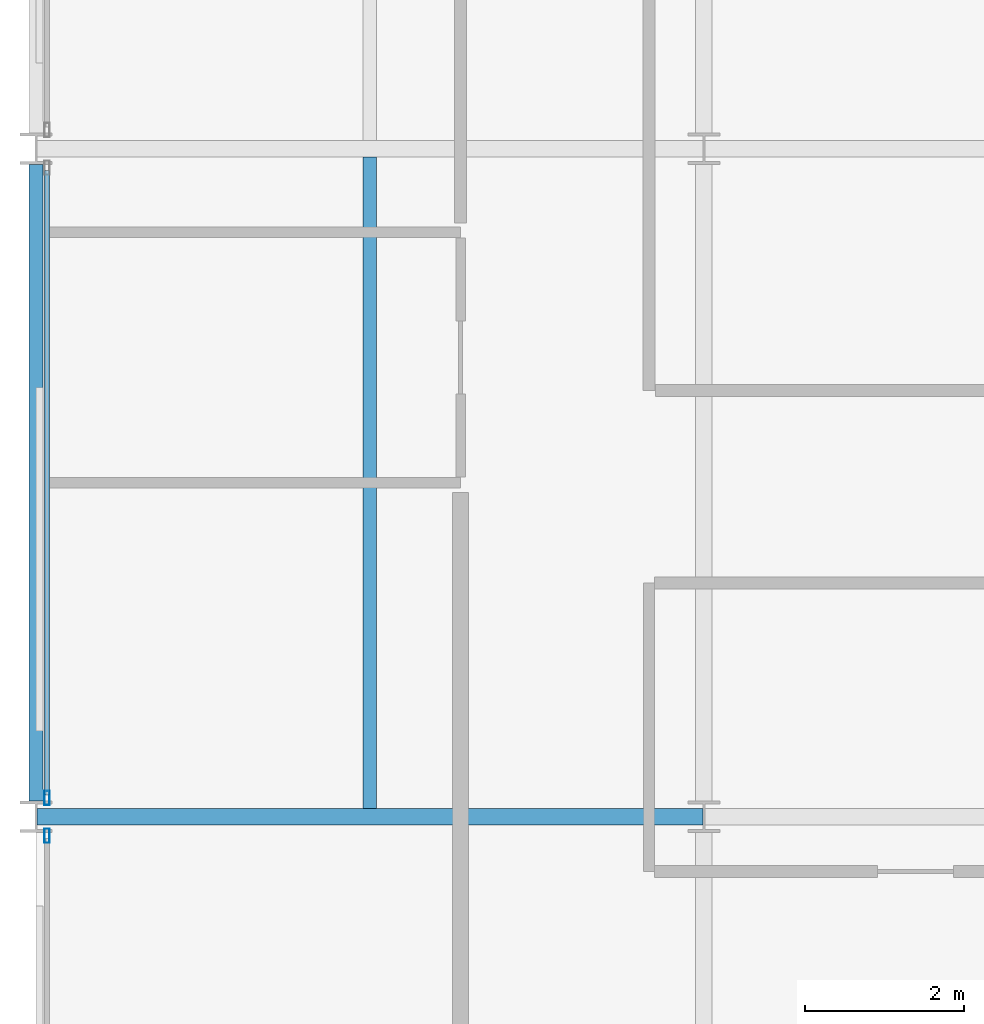
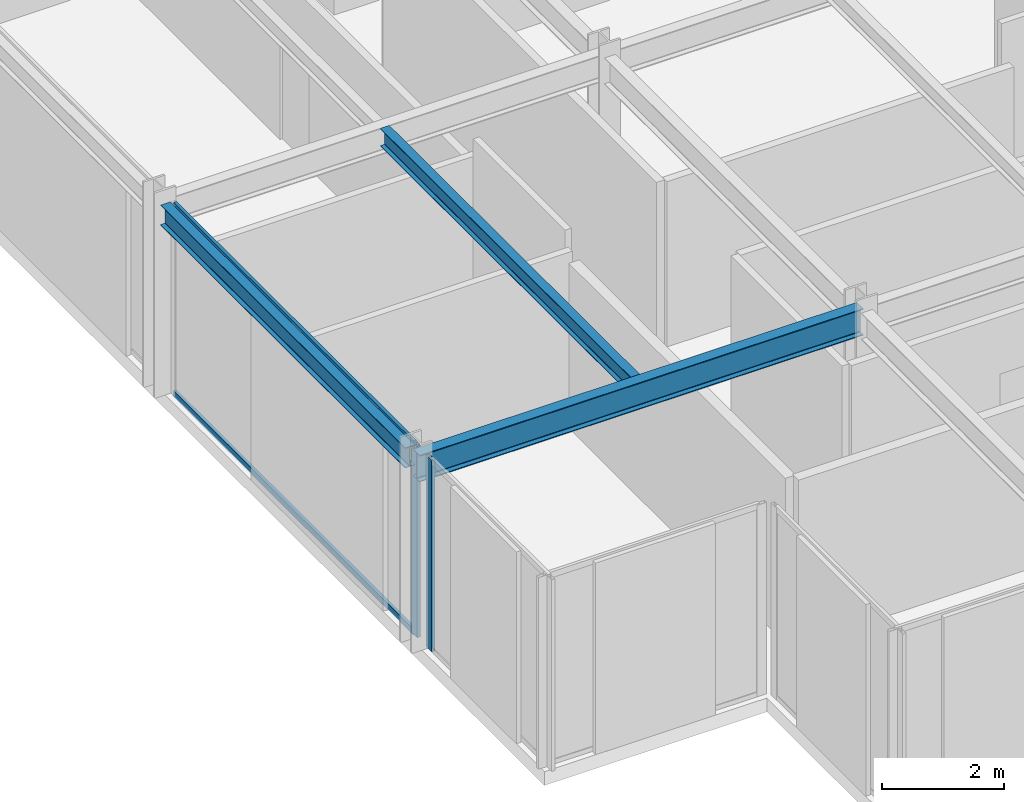
# One storey, part 4 of 29: 4 members, 3 beams, 2 elements without a shape of their own.
"""IFC4 building model written with IfcOpenShell, lengths in metres."""

from ifc_helpers import new_model, si_unit, direction, frame, origin, origin_2d, place, context, subcontext, project, spatial, hollow_rectangle, i_section, extrude, material, layer, layer_set, material_profile, profile_set, type_object, element, aggregate, save


model = new_model("IFC4")

# Units and contexts
model_context = context("Model", 3, precision=1e-05, world=origin(), true_north=direction((0.0, 1.0)))
body_context = subcontext(model_context, "Body", "Model", "MODEL_VIEW")
ifc_project = project(units=[si_unit("LENGTHUNIT", "METRE"), si_unit("AREAUNIT", "SQUARE_METRE"), si_unit("VOLUMEUNIT", "CUBIC_METRE"), si_unit("PLANEANGLEUNIT", "RADIAN"), si_unit("MASSUNIT", "GRAM", prefix="KILO")], contexts=[model_context])

# Site, building, storey
site_placement = place(None, origin())
site = spatial("IfcSite", under=ifc_project, at=site_placement, CompositionType="ELEMENT")
building_placement = place(site_placement, origin())
building = spatial("IfcBuilding", under=site, at=building_placement, Name="Nerrivon Quay Data Exchange", CompositionType="ELEMENT")
storey_placement = place(building_placement, frame((0.0, 0.0, 137.699951171875)))
storey = spatial("IfcBuildingStorey", under=building, at=storey_placement, Name="L32", CompositionType="ELEMENT", Elevation=137.699951171875)

# Beams
ifc_material_1 = material(Name="Steel Grade 350", Category="steel")
ifc_material_profile_1 = material_profile(ifc_material_1, i_section(OverallWidth=0.208984375, OverallDepth=0.532958984375, WebThickness=0.01025390625, FlangeThickness=0.015625, FilletRadius=0.013916015625, at=origin_2d()), Name="530UB92.4")
ifc_profile_set_1 = profile_set([ifc_material_profile_1], Name="Steel Grade 350")
beam_type_1 = type_object("IfcBeamType", Name="BM-G3-530UB92", PredefinedType="BEAM", material=ifc_profile_set_1)
beam_1_placement = place(storey_placement, frame((0.012451171875, 8.39990234375, 3.55859375), z_axis=(1.0, 0.0, 0.0), x_axis=(0.0, 1.0, 0.0)))
element("IfcBeam", 1, at=beam_1_placement, inside=storey, type_object=beam_type_1, Name="L32 EW Girder Y=8.4 (0.0..8.4)", PredefinedType="BEAM", context=body_context, shape_type="SweptSolid", body=[
    extrude(i_section(OverallWidth=0.208984375, OverallDepth=0.532958984375, WebThickness=0.01025390625, FlangeThickness=0.015625, FilletRadius=0.013916015625, at=origin_2d()), origin(), (0.0, 0.0, 1.0), 8.375),
])
ifc_material_profile_2 = material_profile(ifc_material_1, i_section(OverallWidth=0.1708984375, OverallDepth=0.35595703125, WebThickness=0.00732421875, FlangeThickness=0.011474609375, FilletRadius=0.011474609375, at=origin_2d()), Name="360UB50.7")
ifc_profile_set_2 = profile_set([ifc_material_profile_2], Name="Steel Grade 350")
beam_type_2 = type_object("IfcBeamType", Name="BM-J4-360UB51", PredefinedType="JOIST", material=ifc_profile_set_2)
beam_2_placement = place(storey_placement, frame((4.199951171875, 8.50439453125, 3.64697265625), z_axis=(0.0, 1.0, 0.0), x_axis=(-1.0, 0.0, 0.0)))
element("IfcBeam", 2, at=beam_2_placement, inside=storey, type_object=beam_type_2, Name="L32 Secondary Joist X=4.2 (8.4..16.8)", PredefinedType="JOIST", context=body_context, shape_type="SweptSolid", body=[
    extrude(i_section(OverallWidth=0.1708984375, OverallDepth=0.35595703125, WebThickness=0.00732421875, FlangeThickness=0.011474609375, FilletRadius=0.011474609375, at=origin_2d()), origin(), (0.0, 0.0, 1.0), 8.191162109375),
])
ifc_material_profile_3 = material_profile(ifc_material_1, i_section(OverallWidth=0.177978515625, OverallDepth=0.403076171875, WebThickness=0.007568359375, FlangeThickness=0.010986328125, FilletRadius=0.011474609375, at=origin_2d()), Name="410UB53.7")
ifc_profile_set_3 = profile_set([ifc_material_profile_3], Name="Steel Grade 350")
beam_type_3 = type_object("IfcBeamType", Name="BM-SP2-410UB54", PredefinedType="SPANDREL", material=ifc_profile_set_3)
beam_3_placement = place(storey_placement, frame((0.0, 8.60009765625, 3.62353515625), z_axis=(0.0, 1.0, 0.0), x_axis=(-1.0, 0.0, 0.0)))
element("IfcBeam", 3, at=beam_3_placement, inside=storey, type_object=beam_type_3, Name="L32 NS Girder X=0.0 (8.4..16.8)", PredefinedType="SPANDREL", context=body_context, shape_type="SweptSolid", body=[
    extrude(i_section(OverallWidth=0.177978515625, OverallDepth=0.403076171875, WebThickness=0.007568359375, FlangeThickness=0.010986328125, FilletRadius=0.011474609375, at=origin_2d()), origin(), (0.0, 0.0, 1.0), 8.0),
])

# Curtain wall, member
ifc_material_2 = material(Name="Anodised aluminium 6063-T6", Category="aluminium")
ifc_layer = layer(ifc_material_2, 0.2099609375)
ifc_layer_set = layer_set([ifc_layer], Name="Anodised aluminium 6063-T6")
curtain_wall_type = type_object("IfcCurtainWallType", Name="CW-SYS-02", PredefinedType="NOTDEFINED", material=ifc_layer_set)
curtain_wall_1_placement = place(storey_placement, origin())
curtain_wall_1 = element("IfcCurtainWall", 4, at=curtain_wall_1_placement, inside=storey, type_object=curtain_wall_type, Name="L32 Unitised Curtain Wall 11", PredefinedType="NOTDEFINED")
ifc_material_profile_4 = material_profile(ifc_material_2, hollow_rectangle(XDim=0.06494140625, YDim=0.179931640625, WallThickness=0.00341796875, at=origin_2d()), Name="ALU-MULL-180x65")
ifc_profile_set_4 = profile_set([ifc_material_profile_4], Name="Anodised aluminium 6063-T6")
member_type_1 = type_object("IfcMemberType", Name="CWM-180x65", PredefinedType="MULLION", material=ifc_profile_set_4)
member_1_placement = place(storey_placement, frame((0.139892578125, 8.16259765625, 0.0), z_axis=(0.0, 0.0, 1.0), x_axis=(-1.0, 0.0, 0.0)))
member_1 = element("IfcMember", 5, at=member_1_placement, type_object=member_type_1, Name="CW02 mullion 2", PredefinedType="MULLION", context=body_context, shape_type="SweptSolid", body=[
    extrude(hollow_rectangle(XDim=0.06494140625, YDim=0.179931640625, WallThickness=0.00341796875, at=origin_2d()), origin(), (0.0, 0.0, 1.0), 3.824951171875),
])
aggregate(curtain_wall_1, [member_1])

# Curtain wall, members
curtain_wall_2_placement = place(storey_placement, origin())
curtain_wall_2 = element("IfcCurtainWall", 6, at=curtain_wall_2_placement, inside=storey, type_object=curtain_wall_type, Name="L32 Unitised Curtain Wall 12", PredefinedType="NOTDEFINED")
member_2_placement = place(storey_placement, frame((0.139892578125, 8.637451171875, 0.0), z_axis=(0.0, 0.0, 1.0), x_axis=(-1.0, 0.0, 0.0)))
member_2 = element("IfcMember", 7, at=member_2_placement, type_object=member_type_1, Name="CW02 mullion 1", PredefinedType="MULLION", context=body_context, shape_type="SweptSolid", body=[
    extrude(hollow_rectangle(XDim=0.06494140625, YDim=0.179931640625, WallThickness=0.00341796875, at=origin_2d()), origin(), (0.0, 0.0, 1.0), 3.824951171875),
])
ifc_material_profile_5 = material_profile(ifc_material_2, hollow_rectangle(XDim=0.06005859375, YDim=0.1201171875, WallThickness=0.003173828125, at=origin_2d()), Name="ALU-TRAN-120x60")
ifc_profile_set_5 = profile_set([ifc_material_profile_5], Name="Anodised aluminium 6063-T6")
member_type_2 = type_object("IfcMemberType", Name="CWT-120x60", PredefinedType="USERDEFINED", material=ifc_profile_set_5)
member_3_placement = place(storey_placement, frame((0.139892578125, 8.675048828125, 0.032470703125), z_axis=(0.0, 1.0, 0.0), x_axis=(-1.0, 0.0, 0.0)))
member_3 = element("IfcMember", 8, at=member_3_placement, type_object=member_type_2, Name="CW02 transom 1.1", ObjectType="TRANSOM", PredefinedType="USERDEFINED", context=body_context, shape_type="SweptSolid", body=[
    extrude(hollow_rectangle(XDim=0.06005859375, YDim=0.1201171875, WallThickness=0.003173828125, at=origin_2d()), origin(), (0.0, 0.0, 1.0), 7.849853515625),
])
member_4_placement = place(storey_placement, frame((0.139892578125, 8.675048828125, 3.79248046875), z_axis=(0.0, 1.0, 0.0), x_axis=(-1.0, 0.0, 0.0)))
member_4 = element("IfcMember", 9, at=member_4_placement, type_object=member_type_2, Name="CW02 transom 1.2", ObjectType="TRANSOM", PredefinedType="USERDEFINED", context=body_context, shape_type="SweptSolid", body=[
    extrude(hollow_rectangle(XDim=0.06005859375, YDim=0.1201171875, WallThickness=0.003173828125, at=origin_2d()), origin(), (0.0, 0.0, 1.0), 7.849853515625),
])
aggregate(curtain_wall_2, [member_2, member_3, member_4])

save(model, "model.ifc")
